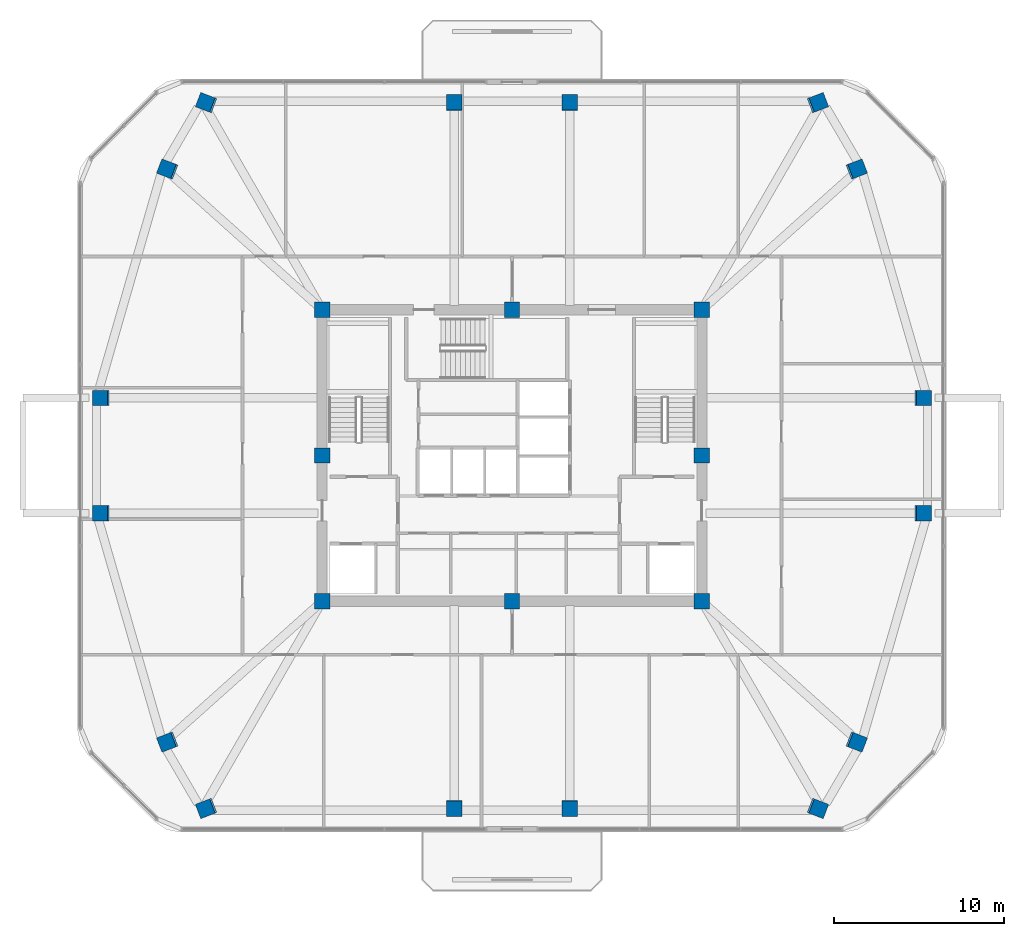
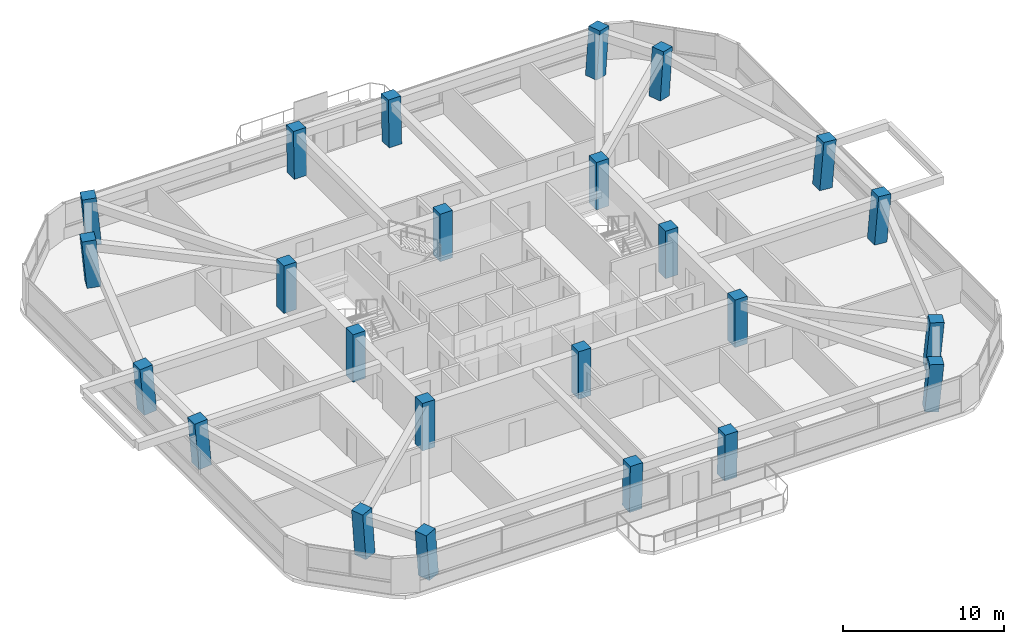
# One storey, part 1 of 12: 24 columns.
"""IFC4 building model written with IfcOpenShell, lengths in metres."""

from ifc_helpers import new_model, si_unit, derived_unit, direction, frame, origin, origin_2d, place, context, subcontext, project, spatial, rectangle, extrude, material, material_profile, profile_set, type_object, element, save


model = new_model("IFC4")

# Units and contexts
model_context = context("Model", 3, precision=1e-05, world=origin(), true_north=direction((0.0, 1.0)))
body_context = subcontext(model_context, "Body", "Model", "MODEL_VIEW")
ifc_project = project(units=[si_unit("LENGTHUNIT", "METRE"), si_unit("AREAUNIT", "SQUARE_METRE"), si_unit("VOLUMEUNIT", "CUBIC_METRE"), si_unit("PLANEANGLEUNIT", "RADIAN"), si_unit("MASSUNIT", "GRAM", prefix="KILO"), derived_unit("THERMALTRANSMITTANCEUNIT", [(si_unit("POWERUNIT", "WATT"), 1), (si_unit("LENGTHUNIT", "METRE"), -2), (si_unit("THERMODYNAMICTEMPERATUREUNIT", "KELVIN"), -1)])], contexts=[model_context])

# Site, building, storey
site_placement = place(None, origin())
site = spatial("IfcSite", under=ifc_project, at=site_placement, CompositionType="ELEMENT")
building_placement = place(site_placement, origin())
building = spatial("IfcBuilding", under=site, at=building_placement, Name="Koralith Skygarden Medical Center", CompositionType="ELEMENT")
storey_placement = place(building_placement, frame((0.0, 0.0, 203.580078125)))
storey = spatial("IfcBuildingStorey", under=building, at=storey_placement, Name="L52", CompositionType="ELEMENT", Elevation=203.580078125)

# Columns
ifc_material = material(Name="Concrete C55/67", Category="concrete")
ifc_material_profile_1 = material_profile(ifc_material, rectangle(XDim=0.89990234375, YDim=0.89990234375, at=origin_2d()), Name="RC900X900")
ifc_profile_set_1 = profile_set([ifc_material_profile_1], Name="Concrete C55/67")
column_type_1 = type_object("IfcColumnType", Name="Core Column C55 RC900", PredefinedType="COLUMN", material=ifc_profile_set_1)
for number, where, z_axis, x_axis, name in (
    (1, (25.800048828125, 17.300048828125, 0.0), (0.0, 0.0, 1.0), (1.0, 0.0, 0.0), "L52 Core Column CC-01"),
    (2, (37.0, 17.300048828125, 0.0), (0.0, 0.0, 1.0), (1.0, 0.0, 0.0), "L52 Core Column CC-02"),
    (3, (48.199951171875, 17.300048828125, 0.0), (0.0, 0.0, 1.0), (1.0, 0.0, 0.0), "L52 Core Column CC-03"),
    (4, (48.199951171875, 25.89990234375, 0.0), (0.0, 0.0, 1.0), (1.0, 0.0, 0.0), "L52 Core Column CC-04"),
    (5, (48.199951171875, 34.5, 0.0), (0.0, 0.0, 1.0), (1.0, 0.0, 0.0), "L52 Core Column CC-05"),
    (6, (37.0, 34.5, 0.0), (0.0, 0.0, 1.0), (1.0, 0.0, 0.0), "L52 Core Column CC-06"),
    (7, (25.800048828125, 34.5, 0.0), (0.0, 0.0, 1.0), (1.0, 0.0, 0.0), "L52 Core Column CC-07"),
    (8, (25.800048828125, 25.89990234375, 0.0), (0.0, 0.0, 1.0), (1.0, 0.0, 0.0), "L52 Core Column CC-08"),
):
    element("IfcColumn", number, at=place(storey_placement, frame(where, z_axis=z_axis, x_axis=x_axis)), inside=storey, type_object=column_type_1, Name=name, PredefinedType="COLUMN", context=body_context, shape_type="SweptSolid", body=[
        extrude(rectangle(XDim=0.89990234375, YDim=0.89990234375, at=origin_2d()), origin(), (0.0, 0.0, 1.0), 3.599853515625),
    ])
ifc_material_profile_2 = material_profile(ifc_material, rectangle(XDim=0.89990234375, YDim=0.89990234375, at=origin_2d()), Name="RC900X900")
ifc_profile_set_2 = profile_set([ifc_material_profile_2], Name="Concrete C55/67")
column_type_2 = type_object("IfcColumnType", Name="Zone 4 Flare Mega-Column C55 RC900", PredefinedType="COLUMN", material=ifc_profile_set_2)
column_1_placement = place(storey_placement, frame((12.7890625, 22.5, 0.02099609375), z_axis=(-0.084578849141, 0.0, 0.99641678944), x_axis=(0.0, -1.0, 0.0)))
element("IfcColumn", 9, at=column_1_placement, inside=storey, type_object=column_type_2, Name="L52 Perimeter Mega-Column MC-01", PredefinedType="COLUMN", context=body_context, shape_type="SweptSolid", body=[
    extrude(rectangle(XDim=0.89990234375, YDim=0.89990234375, at=origin_2d()), origin(), (0.0, 0.0, 1.0), 3.570556640625),
])
for number, where, z_axis, x_axis, name in (
    (10, (16.7099609375, 9.01904296875, 0.02099609375), (-0.084534277387, -0.032460615811, 0.995891693091), (0.358473312771, -0.933539974522, 0.0), "L52 Perimeter Mega-Column MC-02"),
    (11, (19.0009765625, 5.09912109375, 0.02099609375), (-0.084534089668, -0.032528881715, 0.995889481588), (0.359130747652, -0.933287258078, 0.0), "L52 Perimeter Mega-Column MC-03"),
):
    element("IfcColumn", number, at=place(storey_placement, frame(where, z_axis=z_axis, x_axis=x_axis)), inside=storey, type_object=column_type_2, Name=name, PredefinedType="COLUMN", context=body_context, shape_type="SweptSolid", body=[
        extrude(rectangle(XDim=0.89990234375, YDim=0.89990234375, at=origin_2d()), origin(), (0.0, 0.0, 1.0), 3.572509765625),
    ])
for number, where, z_axis, x_axis, name in (
    (12, (33.60009765625, 5.09912109375, 0.02099609375), (0.0, -0.032645734256, 0.999466985965), (1.0, 0.0, 0.0), "L52 Perimeter Mega-Column MC-04"),
    (13, (40.39990234375, 5.09912109375, 0.02099609375), (0.0, -0.032645734256, 0.999466985965), (1.0, 0.0, 0.0), "L52 Perimeter Mega-Column MC-05"),
):
    element("IfcColumn", number, at=place(storey_placement, frame(where, z_axis=z_axis, x_axis=x_axis)), inside=storey, type_object=column_type_2, Name=name, PredefinedType="COLUMN", context=body_context, shape_type="SweptSolid", body=[
        extrude(rectangle(XDim=0.89990234375, YDim=0.89990234375, at=origin_2d()), origin(), (0.0, 0.0, 1.0), 3.559814453125),
    ])
for number, where, z_axis, x_axis, name in (
    (14, (54.9990234375, 5.09912109375, 0.02099609375), (0.084534089668, -0.032528881715, 0.995889481588), (0.359130747652, 0.933287258078, 0.0), "L52 Perimeter Mega-Column MC-06"),
    (15, (57.2900390625, 9.01904296875, 0.02099609375), (0.084534277387, -0.032460615811, 0.995891693091), (0.358473312771, 0.933539974522, 0.0), "L52 Perimeter Mega-Column MC-07"),
):
    element("IfcColumn", number, at=place(storey_placement, frame(where, z_axis=z_axis, x_axis=x_axis)), inside=storey, type_object=column_type_2, Name=name, PredefinedType="COLUMN", context=body_context, shape_type="SweptSolid", body=[
        extrude(rectangle(XDim=0.89990234375, YDim=0.89990234375, at=origin_2d()), origin(), (0.0, 0.0, 1.0), 3.572509765625),
    ])
for number, where, z_axis, x_axis, name in (
    (16, (61.2109375, 22.5, 0.02099609375), (0.084578849141, 0.0, 0.99641678944), (0.0, 1.0, 0.0), "L52 Perimeter Mega-Column MC-08"),
    (17, (61.2109375, 29.300048828125, 0.02099609375), (0.084578849141, 0.0, 0.99641678944), (0.0, 1.0, 0.0), "L52 Perimeter Mega-Column MC-09"),
):
    element("IfcColumn", number, at=place(storey_placement, frame(where, z_axis=z_axis, x_axis=x_axis)), inside=storey, type_object=column_type_2, Name=name, PredefinedType="COLUMN", context=body_context, shape_type="SweptSolid", body=[
        extrude(rectangle(XDim=0.89990234375, YDim=0.89990234375, at=origin_2d()), origin(), (0.0, 0.0, 1.0), 3.570556640625),
    ])
for number, where, z_axis, x_axis, name in (
    (18, (57.2900390625, 42.781005859375, 0.02099609375), (0.084534277387, 0.032460615811, 0.995891693091), (-0.358473312771, 0.933539974522, 0.0), "L52 Perimeter Mega-Column MC-10"),
    (19, (54.9990234375, 46.700927734375, 0.02099609375), (0.084534277387, 0.032460615811, 0.995891693091), (-0.358473312771, 0.933539974522, 0.0), "L52 Perimeter Mega-Column MC-11"),
):
    element("IfcColumn", number, at=place(storey_placement, frame(where, z_axis=z_axis, x_axis=x_axis)), inside=storey, type_object=column_type_2, Name=name, PredefinedType="COLUMN", context=body_context, shape_type="SweptSolid", body=[
        extrude(rectangle(XDim=0.89990234375, YDim=0.89990234375, at=origin_2d()), origin(), (0.0, 0.0, 1.0), 3.572509765625),
    ])
for number, where, z_axis, x_axis, name in (
    (20, (40.39990234375, 46.700927734375, 0.02099609375), (0.0, 0.032577223644, 0.999469221387), (-1.0, 0.0, 0.0), "L52 Perimeter Mega-Column MC-12"),
    (21, (33.60009765625, 46.700927734375, 0.02099609375), (0.0, 0.032577223644, 0.999469221387), (-1.0, 0.0, 0.0), "L52 Perimeter Mega-Column MC-13"),
):
    element("IfcColumn", number, at=place(storey_placement, frame(where, z_axis=z_axis, x_axis=x_axis)), inside=storey, type_object=column_type_2, Name=name, PredefinedType="COLUMN", context=body_context, shape_type="SweptSolid", body=[
        extrude(rectangle(XDim=0.89990234375, YDim=0.89990234375, at=origin_2d()), origin(), (0.0, 0.0, 1.0), 3.559814453125),
    ])
for number, where, z_axis, x_axis, name in (
    (22, (19.0009765625, 46.700927734375, 0.02099609375), (-0.084534277387, 0.032460615811, 0.995891693091), (-0.358473312771, -0.933539974522, 0.0), "L52 Perimeter Mega-Column MC-14"),
    (23, (16.7099609375, 42.781005859375, 0.02099609375), (-0.084534277387, 0.032460615811, 0.995891693091), (-0.358473312771, -0.933539974522, 0.0), "L52 Perimeter Mega-Column MC-15"),
):
    element("IfcColumn", number, at=place(storey_placement, frame(where, z_axis=z_axis, x_axis=x_axis)), inside=storey, type_object=column_type_2, Name=name, PredefinedType="COLUMN", context=body_context, shape_type="SweptSolid", body=[
        extrude(rectangle(XDim=0.89990234375, YDim=0.89990234375, at=origin_2d()), origin(), (0.0, 0.0, 1.0), 3.572509765625),
    ])
column_2_placement = place(storey_placement, frame((12.7890625, 29.300048828125, 0.02099609375), z_axis=(-0.084578849141, 0.0, 0.99641678944), x_axis=(0.0, -1.0, 0.0)))
element("IfcColumn", 24, at=column_2_placement, inside=storey, type_object=column_type_2, Name="L52 Perimeter Mega-Column MC-16", PredefinedType="COLUMN", context=body_context, shape_type="SweptSolid", body=[
    extrude(rectangle(XDim=0.89990234375, YDim=0.89990234375, at=origin_2d()), origin(), (0.0, 0.0, 1.0), 3.570556640625),
])

save(model, "model.ifc")
